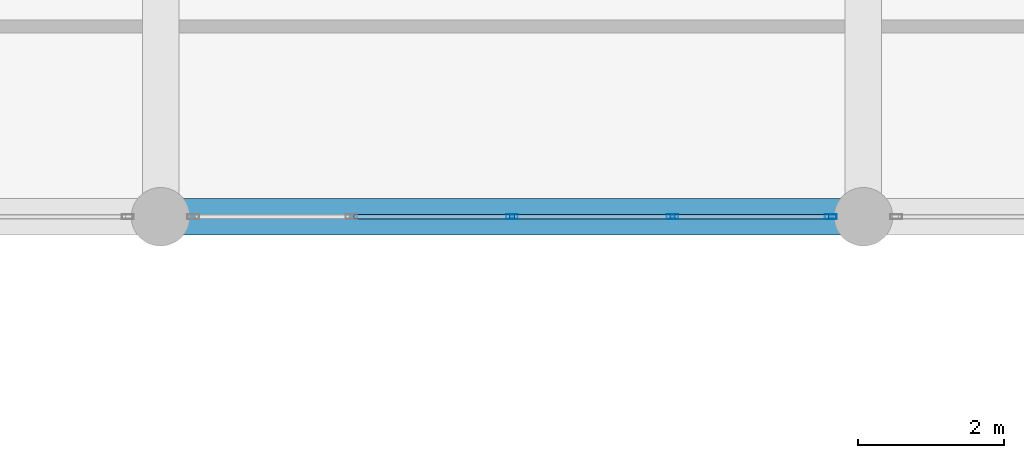
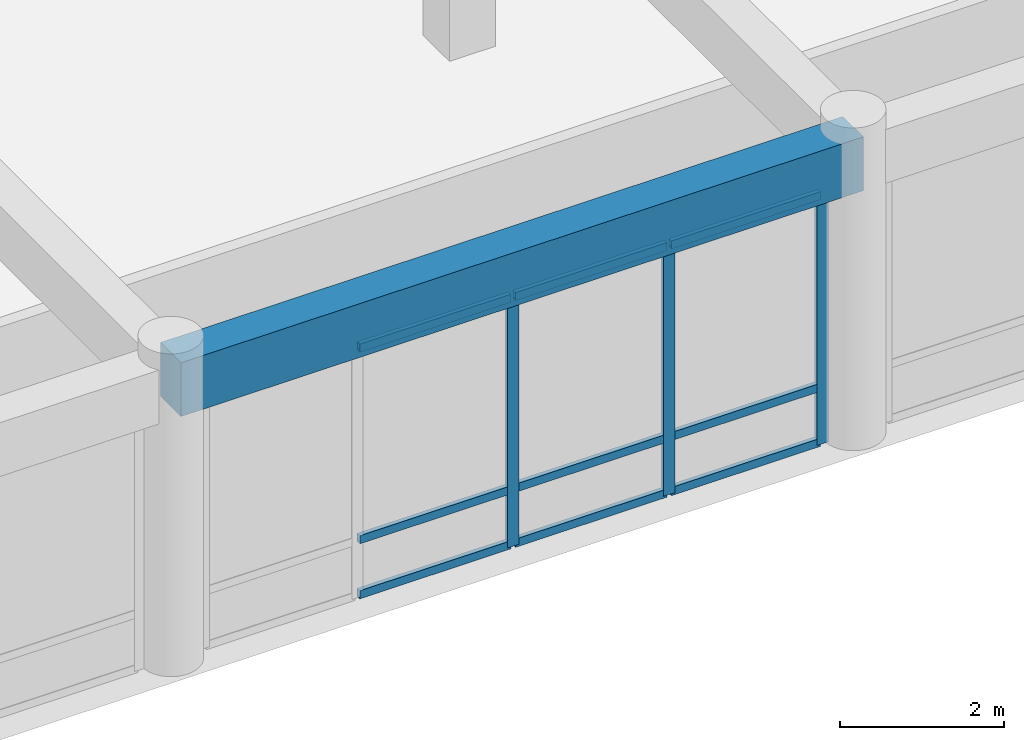
# One storey, part 20 of 101: 12 members, 1 beam, 1 element without a shape of its own.
"""IFC4 building model written with IfcOpenShell, lengths in metres."""

from ifc_helpers import new_model, si_unit, direction, frame, origin, origin_2d, place, context, subcontext, project, spatial, rectangle, hollow_rectangle, extrude, material, layer, layer_set, material_profile, profile_set, type_object, element, aggregate, save


model = new_model("IFC4")

# Units and contexts
model_context = context("Model", 3, precision=1e-05, world=origin(), true_north=direction((0.0, 1.0)))
body_context = subcontext(model_context, "Body", "Model", "MODEL_VIEW")
ifc_project = project(units=[si_unit("LENGTHUNIT", "METRE"), si_unit("AREAUNIT", "SQUARE_METRE"), si_unit("VOLUMEUNIT", "CUBIC_METRE"), si_unit("PLANEANGLEUNIT", "RADIAN"), si_unit("MASSUNIT", "GRAM", prefix="KILO")], contexts=[model_context])

# Site, building, storey
site_placement = place(None, origin())
site = spatial("IfcSite", under=ifc_project, at=site_placement, CompositionType="ELEMENT")
building_placement = place(site_placement, origin())
building = spatial("IfcBuilding", under=site, at=building_placement, Name="Nakhvara Creek Congress Hotel", CompositionType="ELEMENT")
storey_placement = place(building_placement, frame((0.0, 0.0, 16.199951171875)))
storey = spatial("IfcBuildingStorey", under=building, at=storey_placement, Name="L03", CompositionType="ELEMENT", Elevation=16.199951171875)

# Beam
ifc_material_1 = material(Name="Concrete C40/50", Category="concrete")
ifc_material_profile_1 = material_profile(ifc_material_1, rectangle(XDim=0.5, YDim=0.800048828125, at=origin_2d()), Name="RC-BM 500x800", Category="LoadBearing")
ifc_profile_set_1 = profile_set([ifc_material_profile_1], Name="Concrete C40/50")
beam_type = type_object("IfcBeamType", Name="BM-RC-500X800", PredefinedType="BEAM", material=ifc_profile_set_1)
beam_placement = place(storey_placement, frame((86.39990234375, 76.800048828125, 4.14013671875), z_axis=(1.0, 0.0, 0.0), x_axis=(0.0, 1.0, 0.0)))
element("IfcBeam", 1, at=beam_placement, inside=storey, type_object=beam_type, Name="Beam B03-L03-1723", PredefinedType="BEAM", context=body_context, shape_type="SweptSolid", body=[
    extrude(rectangle(XDim=0.5, YDim=0.800048828125, at=origin_2d()), origin(), (0.0, 0.0, 1.0), 9.60009765625),
])

# Curtain wall, members
ifc_material_2 = material(Name="Bronze-anodised aluminium AW-6063-T6 and double-silver low-E glass", Category="aluminium")
ifc_layer = layer(ifc_material_2, 0.199951171875)
ifc_layer_set = layer_set([ifc_layer], Name="Bronze-anodised aluminium AW-6063-T6 and double-silver low-E glass")
curtain_wall_type = type_object("IfcCurtainWallType", Name="CW-POD-STICK", PredefinedType="NOTDEFINED", material=ifc_layer_set)
curtain_wall_placement = place(storey_placement, origin())
curtain_wall = element("IfcCurtainWall", 2, at=curtain_wall_placement, inside=storey, type_object=curtain_wall_type, Name="Curtain Wall CW052", PredefinedType="NOTDEFINED")
ifc_material_3 = material(Name="Bronze-anodised aluminium AW-6063-T6", Category="aluminium")
ifc_material_profile_2 = material_profile(ifc_material_3, hollow_rectangle(XDim=0.06494140625, YDim=0.159912109375, WallThickness=0.00390625, at=origin_2d()), Name="ALU-MULL 65x160x4", Category="LoadBearing")
ifc_profile_set_2 = profile_set([ifc_material_profile_2], Name="Bronze-anodised aluminium AW-6063-T6")
member_type_1 = type_object("IfcMemberType", Name="CW-MULL-160", PredefinedType="MULLION", material=ifc_profile_set_2)
member_1_placement = place(storey_placement, frame((95.552490234375, 76.800048828125, 0.0), z_axis=(0.0, 0.0, 1.0), x_axis=(0.0, -1.0, 0.0)))
member_1 = element("IfcMember", 3, at=member_1_placement, type_object=member_type_1, Name="CW052 mullion 1", PredefinedType="MULLION", context=body_context, shape_type="SweptSolid", body=[
    extrude(hollow_rectangle(XDim=0.06494140625, YDim=0.159912109375, WallThickness=0.00390625, at=origin_2d()), origin(), (0.0, 0.0, 1.0), 3.73193359375),
])
member_2_placement = place(storey_placement, frame((93.392578125, 76.800048828125, 0.0), z_axis=(0.0, 0.0, 1.0), x_axis=(0.0, -1.0, 0.0)))
member_2 = element("IfcMember", 4, at=member_2_placement, type_object=member_type_1, Name="CW052 mullion 2", PredefinedType="MULLION", context=body_context, shape_type="SweptSolid", body=[
    extrude(hollow_rectangle(XDim=0.06494140625, YDim=0.159912109375, WallThickness=0.00390625, at=origin_2d()), origin(), (0.0, 0.0, 1.0), 3.73193359375),
])
member_3_placement = place(storey_placement, frame((91.199951171875, 76.800048828125, 0.0), z_axis=(0.0, 0.0, 1.0), x_axis=(0.0, -1.0, 0.0)))
member_3 = element("IfcMember", 5, at=member_3_placement, type_object=member_type_1, Name="CW052 mullion 3", PredefinedType="MULLION", context=body_context, shape_type="SweptSolid", body=[
    extrude(hollow_rectangle(XDim=0.06494140625, YDim=0.159912109375, WallThickness=0.00390625, at=origin_2d()), origin(), (0.0, 0.0, 1.0), 3.73193359375),
])
ifc_material_profile_3 = material_profile(ifc_material_3, hollow_rectangle(XDim=0.06494140625, YDim=0.1201171875, WallThickness=0.00390625, at=origin_2d()), Name="ALU-TRAN 65x120x4", Category="LoadBearing")
ifc_profile_set_3 = profile_set([ifc_material_profile_3], Name="Bronze-anodised aluminium AW-6063-T6")
member_type_2 = type_object("IfcMemberType", Name="CW-TRAN-120", PredefinedType="USERDEFINED", material=ifc_profile_set_3)
member_4_placement = place(storey_placement, frame((95.52001953125, 76.800048828125, 0.032470703125), z_axis=(-1.0, 0.0, 0.0), x_axis=(0.0, -1.0, 0.0)))
member_4 = element("IfcMember", 6, at=member_4_placement, type_object=member_type_2, Name="CW052 transom 1.1", ObjectType="TRANSOM", PredefinedType="USERDEFINED", context=body_context, shape_type="SweptSolid", body=[
    extrude(hollow_rectangle(XDim=0.06494140625, YDim=0.1201171875, WallThickness=0.00390625, at=origin_2d()), origin(), (0.0, 0.0, 1.0), 2.094970703125),
])
member_5_placement = place(storey_placement, frame((95.52001953125, 76.800048828125, 0.85009765625), z_axis=(-1.0, 0.0, 0.0), x_axis=(0.0, -1.0, 0.0)))
member_5 = element("IfcMember", 7, at=member_5_placement, type_object=member_type_2, Name="CW052 transom 1.2", ObjectType="TRANSOM", PredefinedType="USERDEFINED", context=body_context, shape_type="SweptSolid", body=[
    extrude(hollow_rectangle(XDim=0.06494140625, YDim=0.1201171875, WallThickness=0.00390625, at=origin_2d()), origin(), (0.0, 0.0, 1.0), 2.094970703125),
])
member_6_placement = place(storey_placement, frame((95.52001953125, 76.800048828125, 3.699462890625), z_axis=(-1.0, 0.0, 0.0), x_axis=(0.0, -1.0, 0.0)))
member_6 = element("IfcMember", 8, at=member_6_placement, type_object=member_type_2, Name="CW052 transom 1.3", ObjectType="TRANSOM", PredefinedType="USERDEFINED", context=body_context, shape_type="SweptSolid", body=[
    extrude(hollow_rectangle(XDim=0.06494140625, YDim=0.1201171875, WallThickness=0.00390625, at=origin_2d()), origin(), (0.0, 0.0, 1.0), 2.094970703125),
])
member_7_placement = place(storey_placement, frame((93.360107421875, 76.800048828125, 0.032470703125), z_axis=(-1.0, 0.0, 0.0), x_axis=(0.0, -1.0, 0.0)))
member_7 = element("IfcMember", 9, at=member_7_placement, type_object=member_type_2, Name="CW052 transom 2.1", ObjectType="TRANSOM", PredefinedType="USERDEFINED", context=body_context, shape_type="SweptSolid", body=[
    extrude(hollow_rectangle(XDim=0.06494140625, YDim=0.1201171875, WallThickness=0.00390625, at=origin_2d()), origin(), (0.0, 0.0, 1.0), 2.127685546875),
])
member_8_placement = place(storey_placement, frame((93.360107421875, 76.800048828125, 0.85009765625), z_axis=(-1.0, 0.0, 0.0), x_axis=(0.0, -1.0, 0.0)))
member_8 = element("IfcMember", 10, at=member_8_placement, type_object=member_type_2, Name="CW052 transom 2.2", ObjectType="TRANSOM", PredefinedType="USERDEFINED", context=body_context, shape_type="SweptSolid", body=[
    extrude(hollow_rectangle(XDim=0.06494140625, YDim=0.1201171875, WallThickness=0.00390625, at=origin_2d()), origin(), (0.0, 0.0, 1.0), 2.127685546875),
])
member_9_placement = place(storey_placement, frame((93.360107421875, 76.800048828125, 3.699462890625), z_axis=(-1.0, 0.0, 0.0), x_axis=(0.0, -1.0, 0.0)))
member_9 = element("IfcMember", 11, at=member_9_placement, type_object=member_type_2, Name="CW052 transom 2.3", ObjectType="TRANSOM", PredefinedType="USERDEFINED", context=body_context, shape_type="SweptSolid", body=[
    extrude(hollow_rectangle(XDim=0.06494140625, YDim=0.1201171875, WallThickness=0.00390625, at=origin_2d()), origin(), (0.0, 0.0, 1.0), 2.127685546875),
])
member_10_placement = place(storey_placement, frame((91.16748046875, 76.800048828125, 0.032470703125), z_axis=(-1.0, 0.0, 0.0), x_axis=(0.0, -1.0, 0.0)))
member_10 = element("IfcMember", 12, at=member_10_placement, type_object=member_type_2, Name="CW052 transom 3.1", ObjectType="TRANSOM", PredefinedType="USERDEFINED", context=body_context, shape_type="SweptSolid", body=[
    extrude(hollow_rectangle(XDim=0.06494140625, YDim=0.1201171875, WallThickness=0.00390625, at=origin_2d()), origin(), (0.0, 0.0, 1.0), 2.12744140625),
])
member_11_placement = place(storey_placement, frame((91.16748046875, 76.800048828125, 0.85009765625), z_axis=(-1.0, 0.0, 0.0), x_axis=(0.0, -1.0, 0.0)))
member_11 = element("IfcMember", 13, at=member_11_placement, type_object=member_type_2, Name="CW052 transom 3.2", ObjectType="TRANSOM", PredefinedType="USERDEFINED", context=body_context, shape_type="SweptSolid", body=[
    extrude(hollow_rectangle(XDim=0.06494140625, YDim=0.1201171875, WallThickness=0.00390625, at=origin_2d()), origin(), (0.0, 0.0, 1.0), 2.12744140625),
])
member_12_placement = place(storey_placement, frame((91.16748046875, 76.800048828125, 3.699462890625), z_axis=(-1.0, 0.0, 0.0), x_axis=(0.0, -1.0, 0.0)))
member_12 = element("IfcMember", 14, at=member_12_placement, type_object=member_type_2, Name="CW052 transom 3.3", ObjectType="TRANSOM", PredefinedType="USERDEFINED", context=body_context, shape_type="SweptSolid", body=[
    extrude(hollow_rectangle(XDim=0.06494140625, YDim=0.1201171875, WallThickness=0.00390625, at=origin_2d()), origin(), (0.0, 0.0, 1.0), 2.12744140625),
])
aggregate(curtain_wall, [member_1, member_2, member_3, member_4, member_5, member_6, member_7, member_8, member_9, member_10, member_11, member_12])

save(model, "model.ifc")
